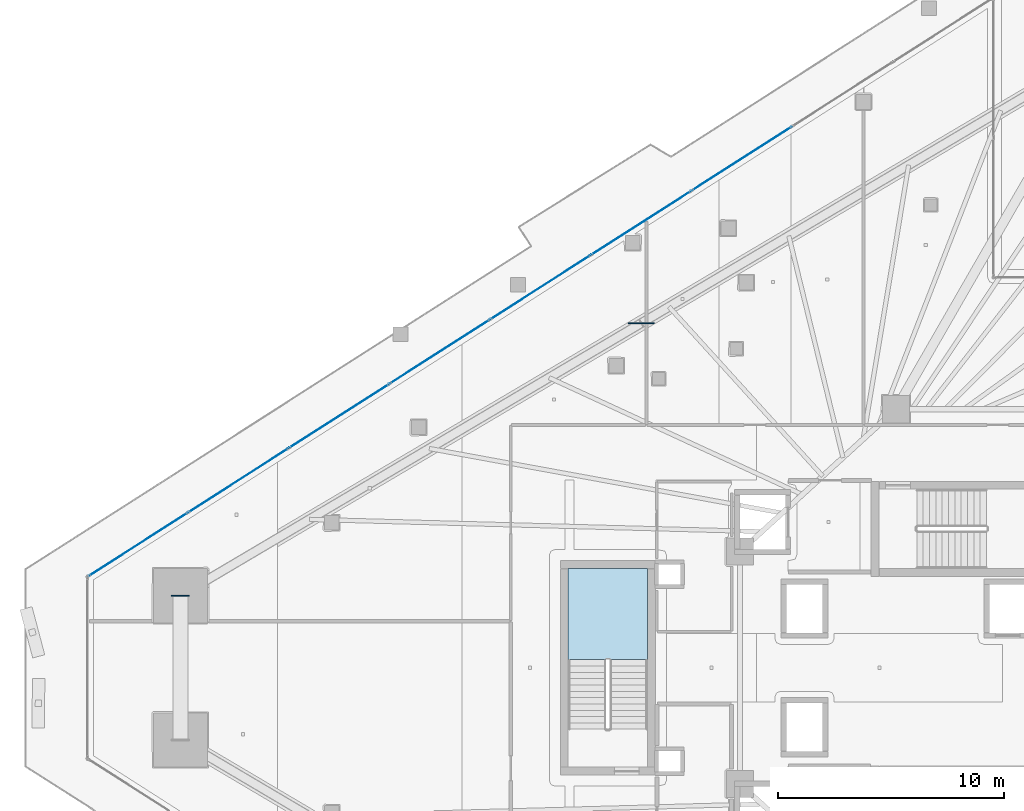
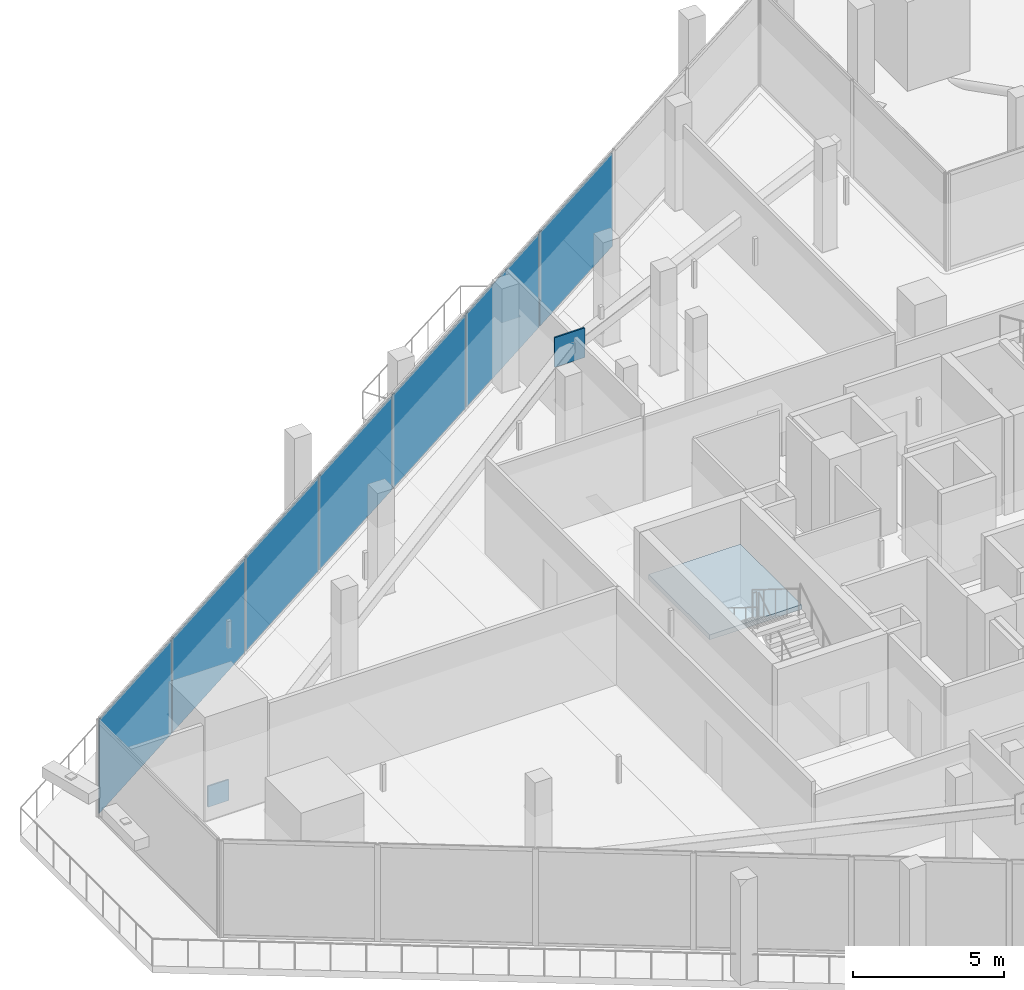
# One storey, part 29 of 47: 9 plates, 1 slab, 2 elements without a shape of their own.
"""IFC4 building model written with IfcOpenShell, lengths in metres."""

import ifcopenshell
import ifcopenshell.guid

model = None  # the IFC model being written
_history = None  # IfcOwnerHistory: only IFC2X3 demands one
_inside = {}  # id of a spatial element -> (the spatial element, [elements in it])
_under = {}  # id of a project, library or spatial element -> (it, [spatial elements below it])
_declared = {}  # id of a project -> (the project, [libraries it declares])
_typed = {}  # id of a type object -> (the type object, [elements of that type])
_made_of = {}  # id of a material, layer set ... -> (it, [elements and type objects made of it])


def new_model(schema):
    """Start an empty IFC model of exactly this schema.

    Asked for "IFC4X3", IfcOpenShell would pick the latest addendum, in which some entities
    have other attributes; the version numbers below select the first issue.
    IFC2X3 requires an IfcOwnerHistory on every rooted entity: one is made here for all.
    """
    global model, _history
    if schema == "IFC4X3":
        model = ifcopenshell.file(schema_version=(4, 3, 0, 0))
    else:
        model = ifcopenshell.file(schema=schema)
    _inside.clear()
    _under.clear()
    _declared.clear()
    _typed.clear()
    _made_of.clear()
    _history = None
    if model.schema == "IFC2X3":
        org = make("IfcOrganization", Name="unknown")
        user = make(
            "IfcPersonAndOrganization",
            ThePerson=make("IfcPerson", FamilyName="unknown"),
            TheOrganization=org,
        )
        app = make(
            "IfcApplication",
            ApplicationDeveloper=org,
            Version="unknown",
            ApplicationFullName="unknown",
            ApplicationIdentifier="unknown",
        )
        _history = make(
            "IfcOwnerHistory",
            OwningUser=user,
            OwningApplication=app,
            ChangeAction="ADDED",
            CreationDate=0,
        )
    return model


def make(cls, **values):
    """One entity of the class cls with the attributes given. An attribute that is None is left unset."""
    return model.create_entity(
        cls, **{name: value for name, value in values.items() if value is not None}
    )


def rooted(cls, **values):
    """An entity with a GlobalId (a new one), such as an element, a storey or a relation."""
    return make(cls, GlobalId=ifcopenshell.guid.new(), OwnerHistory=_history, **values)


def si_unit(unit_type, name, prefix=None):
    """IfcSIUnit, for example si_unit("LENGTHUNIT", "METRE", prefix="MILLI")."""
    return make("IfcSIUnit", UnitType=unit_type, Prefix=prefix, Name=name)


def assignment(units):
    """IfcUnitAssignment: the units of a project."""
    return None if units is None else make("IfcUnitAssignment", Units=units)


def point(xyz):
    """IfcCartesianPoint."""
    return None if xyz is None else make("IfcCartesianPoint", Coordinates=xyz)


def direction(xyz):
    """IfcDirection."""
    return None if xyz is None else make("IfcDirection", DirectionRatios=xyz)


def frame(location, z_axis=None, x_axis=None):
    """IfcAxis2Placement3D, a coordinate frame: its origin and axes. An axis left out is left unset."""
    return make(
        "IfcAxis2Placement3D",
        Location=point(location),
        Axis=direction(z_axis),
        RefDirection=direction(x_axis),
    )


def frame_2d(location, x_axis=None):
    """IfcAxis2Placement2D, a coordinate frame in the plane: its origin and x axis."""
    return make(
        "IfcAxis2Placement2D", Location=point(location), RefDirection=direction(x_axis)
    )


def origin():
    """The frame at (0, 0, 0) with its axes left unset."""
    return frame((0.0, 0.0, 0.0))


def origin_2d():
    """The frame at (0, 0) in the plane with its x axis left unset."""
    return frame_2d((0.0, 0.0))


def place(relative_to, where):
    """IfcLocalPlacement: puts the frame where relative to a parent placement (None: the world)."""
    return make(
        "IfcLocalPlacement", PlacementRelTo=relative_to, RelativePlacement=where
    )


def context(
    kind, dimensions, precision=None, world=None, true_north=None, identifier=None
):
    """IfcGeometricRepresentationContext, for example the 3D "Model" context."""
    return make(
        "IfcGeometricRepresentationContext",
        ContextIdentifier=identifier,
        ContextType=kind,
        CoordinateSpaceDimension=dimensions,
        Precision=precision,
        WorldCoordinateSystem=world,
        TrueNorth=true_north,
    )


def subcontext(parent, identifier, kind, view, scale=None):
    """IfcGeometricRepresentationSubContext, for example "Body" below "Model"."""
    return make(
        "IfcGeometricRepresentationSubContext",
        ContextIdentifier=identifier,
        ContextType=kind,
        ParentContext=parent,
        TargetScale=scale,
        TargetView=view,
    )


def project(units=None, contexts=None):
    """IfcProject with its units and contexts."""
    return rooted(
        "IfcProject",
        Name="project",
        RepresentationContexts=contexts,
        UnitsInContext=assignment(units),
    )


def spatial(cls, under=None, at=None, **own):
    """A site, building, storey or space (cls), placed at a placement, below another one or the project."""
    s = rooted(cls, ObjectPlacement=at, **own)
    if under is not None:
        _under.setdefault(under.id(), (under, []))[1].append(s)
    return s


def polyline(points):
    """IfcPolyline through the points."""
    return make("IfcPolyline", Points=[point(p) for p in points])


def profile(cls, at=None, kind="AREA", **sizes):
    """A parametric profile (cls). Its sizes go by their IFC names, for example OverallWidth=200.0."""
    return make(cls, ProfileType=kind, Position=at, **sizes)


def rectangle(**sizes):
    """IfcRectangleProfileDef."""
    return profile("IfcRectangleProfileDef", **sizes)


def outline(outer, holes=None, kind="AREA"):
    """IfcArbitraryClosedProfileDef: a profile drawn as a closed curve; with holes, ...WithVoids."""
    if holes is None:
        return make("IfcArbitraryClosedProfileDef", ProfileType=kind, OuterCurve=outer)
    return make(
        "IfcArbitraryProfileDefWithVoids",
        ProfileType=kind,
        OuterCurve=outer,
        InnerCurves=holes,
    )


def extrude(swept, where, along, depth):
    """IfcExtrudedAreaSolid: the profile swept, set in the frame where, extruded along a direction by depth."""
    return make(
        "IfcExtrudedAreaSolid",
        SweptArea=swept,
        Position=where,
        ExtrudedDirection=direction(along),
        Depth=depth,
    )


def shape(context_of_items, identifier, shape_type, items):
    """IfcShapeRepresentation: the items that make up one representation, for example the "Body"."""
    return make(
        "IfcShapeRepresentation",
        ContextOfItems=context_of_items,
        RepresentationIdentifier=identifier,
        RepresentationType=shape_type,
        Items=items,
    )


def material(Name=None, Category=None):
    """IfcMaterial."""
    return make("IfcMaterial", Name=Name, Category=Category)


def layer(
    of_material, thickness, ventilated=None, Name=None, Category=None, Priority=None
):
    """IfcMaterialLayer: one layer of a wall or slab, of a material (None: an air gap)."""
    return make(
        "IfcMaterialLayer",
        Material=of_material,
        LayerThickness=thickness,
        IsVentilated=ventilated,
        Name=Name,
        Category=Category,
        Priority=Priority,
    )


def layer_set(layers, Name=None):
    """IfcMaterialLayerSet."""
    return make("IfcMaterialLayerSet", MaterialLayers=layers, LayerSetName=Name)


def made_of(thing, what):
    """Note that an element or type object is made of a material, layer set ...; save() writes the relation."""
    if what is not None:
        _made_of.setdefault(what.id(), (what, []))[1].append(thing)
    return thing


def type_object(cls, material=None, **own):
    """A type object (cls), such as IfcWallType, which elements share."""
    return made_of(rooted(cls, **own), material)


def element(
    cls,
    number,
    at=None,
    inside=None,
    cuts=None,
    type_object=None,
    material=None,
    context=None,
    identifier="Body",
    shape_type=None,
    held_by="IfcProductDefinitionShape",
    body=None,
    shapes=None,
    **own,
):
    """One element of the class cls, such as IfcWall. Its Tag is "e" and its number.

    at: its placement. inside: the storey or other place that contains it. cuts: it is an
    opening in that element (IfcRelVoidsElement). A single representation is given by context,
    identifier, shape_type and body (its items); several are given by shapes. held_by: the class
    of the entity that holds the representations. save() writes the other relations.
    """
    e = rooted(cls, Tag="e%d" % number, ObjectPlacement=at, **own)
    if body is not None:
        shapes = [shape(context, identifier, shape_type, body)]
    if shapes is not None:
        e.Representation = make(held_by, Representations=shapes)
    if inside is not None:
        _inside.setdefault(inside.id(), (inside, []))[1].append(e)
    if cuts is not None:
        rooted(
            "IfcRelVoidsElement", RelatingBuildingElement=cuts, RelatedOpeningElement=e
        )
    if type_object is not None:
        _typed.setdefault(type_object.id(), (type_object, []))[1].append(e)
    return made_of(e, material)


def aggregate(whole, parts):
    """IfcRelAggregates: a whole, such as a stair, and the parts it consists of."""
    return rooted("IfcRelAggregates", RelatingObject=whole, RelatedObjects=parts)


def save(model, path):
    """Write the relations noted so far, then the file.

    IfcRelAggregates (storeys below a building ...), IfcRelContainedInSpatialStructure (elements
    in a storey), IfcRelDefinesByType, IfcRelAssociatesMaterial and IfcRelDeclares: one each for
    every whole, place, type object, material and project.
    """
    for whole, parts in _under.values():
        aggregate(whole, parts)
    for where, things in _inside.values():
        rooted(
            "IfcRelContainedInSpatialStructure",
            RelatedElements=things,
            RelatingStructure=where,
        )
    for kind, things in _typed.values():
        rooted("IfcRelDefinesByType", RelatedObjects=things, RelatingType=kind)
    for what, things in _made_of.values():
        rooted("IfcRelAssociatesMaterial", RelatedObjects=things, RelatingMaterial=what)
    for by, libraries in _declared.values():
        rooted("IfcRelDeclares", RelatingContext=by, RelatedDefinitions=libraries)
    model.write(path)


model = new_model("IFC4")

# Units and contexts
model_context = context("Model", 3, precision=1e-05, world=origin(), true_north=direction((0.0, 1.0)))
body_context = subcontext(model_context, "Body", "Model", "MODEL_VIEW")
ifc_project = project(units=[si_unit("LENGTHUNIT", "METRE"), si_unit("AREAUNIT", "SQUARE_METRE"), si_unit("VOLUMEUNIT", "CUBIC_METRE"), si_unit("PLANEANGLEUNIT", "RADIAN"), si_unit("MASSUNIT", "GRAM", prefix="KILO")], contexts=[model_context])

# Site, building, storey
site_placement = place(None, origin())
site = spatial("IfcSite", under=ifc_project, at=site_placement, CompositionType="ELEMENT")
building_placement = place(site_placement, origin())
building = spatial("IfcBuilding", under=site, at=building_placement, Name="Qorvath Tower", CompositionType="ELEMENT")
storey_placement = place(building_placement, frame((0.0, 0.0, 74.39990234375)))
storey = spatial("IfcBuildingStorey", under=building, at=storey_placement, Name="L16", CompositionType="ELEMENT", Elevation=74.39990234375)

# Curtain wall, plates
ifc_material_1 = material(Name="Anodised aluminium and triple low-E glass", Category="aluminium")
ifc_layer_1 = layer(ifc_material_1, 0.179931640625)
ifc_layer_set_1 = layer_set([ifc_layer_1], Name="CW-SYS-5")
curtain_wall_type = type_object("IfcCurtainWallType", Name="CW-SYS-5", PredefinedType="NOTDEFINED", material=ifc_layer_set_1)
curtain_wall_placement = place(storey_placement, origin())
curtain_wall = element("IfcCurtainWall", 1, at=curtain_wall_placement, inside=storey, type_object=curtain_wall_type, Name="Curtain Wall CW-5 CW-T-L16-4.1", PredefinedType="NOTDEFINED")
ifc_material_2 = material(Name="Low-E triple insulated glass", Category="glass")
ifc_layer_2 = layer(ifc_material_2, 0.031982421875)
ifc_layer_set_2 = layer_set([ifc_layer_2], Name="CWP-GLZ-32")
plate_type_1 = type_object("IfcPlateType", Name="CWP-GLZ-32", PredefinedType="CURTAIN_PANEL", material=ifc_layer_set_2)
plate_1_placement = place(storey_placement, frame((-30.42333984375, 22.547607421875, 0.06494140625), z_axis=(0.0, 0.0, 1.0), x_axis=(-0.842604180763, -0.538533373675, 0.0)))
plate_1 = element("IfcPlate", 2, at=plate_1_placement, type_object=plate_type_1, Name="CW-5 panel 3.1", PredefinedType="CURTAIN_PANEL", context=body_context, shape_type="SweptSolid", body=[
    extrude(rectangle(XDim=5.21484375, YDim=0.031982421875, at=origin_2d()), origin(), (0.0, 0.0, 1.0), 3.790283203125),
])
plate_2_placement = place(storey_placement, frame((-34.880615234375, 19.698974609375, 0.06494140625), z_axis=(0.0, 0.0, 1.0), x_axis=(-0.842604180763, -0.538533373675, 0.0)))
plate_2 = element("IfcPlate", 3, at=plate_2_placement, type_object=plate_type_1, Name="CW-5 panel 4.1", PredefinedType="CURTAIN_PANEL", context=body_context, shape_type="SweptSolid", body=[
    extrude(rectangle(XDim=5.21484375, YDim=0.031982421875, at=origin_2d()), origin(), (0.0, 0.0, 1.0), 3.790283203125),
])
plate_3_placement = place(storey_placement, frame((-39.337890625, 16.85009765625, 0.06494140625), z_axis=(0.0, 0.0, 1.0), x_axis=(-0.842604180763, -0.538533373675, 0.0)))
plate_3 = element("IfcPlate", 4, at=plate_3_placement, type_object=plate_type_1, Name="CW-5 panel 5.1", PredefinedType="CURTAIN_PANEL", context=body_context, shape_type="SweptSolid", body=[
    extrude(rectangle(XDim=5.21484375, YDim=0.031982421875, at=origin_2d()), origin(), (0.0, 0.0, 1.0), 3.790283203125),
])
plate_4_placement = place(storey_placement, frame((-43.795166015625, 14.001220703125, 0.06494140625), z_axis=(0.0, 0.0, 1.0), x_axis=(-0.842604180763, -0.538533373675, 0.0)))
plate_4 = element("IfcPlate", 5, at=plate_4_placement, type_object=plate_type_1, Name="CW-5 panel 6.1", PredefinedType="CURTAIN_PANEL", context=body_context, shape_type="SweptSolid", body=[
    extrude(rectangle(XDim=5.21484375, YDim=0.031982421875, at=origin_2d()), origin(), (0.0, 0.0, 1.0), 3.790283203125),
])
plate_5_placement = place(storey_placement, frame((-48.25244140625, 11.152587890625, 0.06494140625), z_axis=(0.0, 0.0, 1.0), x_axis=(-0.842604180763, -0.538533373675, 0.0)))
plate_5 = element("IfcPlate", 6, at=plate_5_placement, type_object=plate_type_1, Name="CW-5 panel 7.1", PredefinedType="CURTAIN_PANEL", context=body_context, shape_type="SweptSolid", body=[
    extrude(rectangle(XDim=5.21484375, YDim=0.031982421875, at=origin_2d()), origin(), (0.0, 0.0, 1.0), 3.790283203125),
])
plate_6_placement = place(storey_placement, frame((-52.709716796875, 8.3037109375, 0.06494140625), z_axis=(0.0, 0.0, 1.0), x_axis=(-0.842604180763, -0.538533373675, 0.0)))
plate_6 = element("IfcPlate", 7, at=plate_6_placement, type_object=plate_type_1, Name="CW-5 panel 8.1", PredefinedType="CURTAIN_PANEL", context=body_context, shape_type="SweptSolid", body=[
    extrude(rectangle(XDim=5.21484375, YDim=0.031982421875, at=origin_2d()), origin(), (0.0, 0.0, 1.0), 3.790283203125),
])
plate_7_placement = place(storey_placement, frame((-57.1513671875, 5.465087890625, 0.06494140625), z_axis=(0.0, 0.0, 1.0), x_axis=(-0.842604180763, -0.538533373675, 0.0)))
plate_7 = element("IfcPlate", 8, at=plate_7_placement, type_object=plate_type_1, Name="CW-5 panel 9.1", PredefinedType="CURTAIN_PANEL", context=body_context, shape_type="SweptSolid", body=[
    extrude(rectangle(XDim=5.177490234375, YDim=0.031982421875, at=origin_2d()), origin(), (0.0, 0.0, 1.0), 3.790283203125),
])
aggregate(curtain_wall, [plate_1, plate_2, plate_3, plate_4, plate_5, plate_6, plate_7])

# Plates
ifc_material_3 = material(Name="Steel ASTM A572 Grade 50", Category="steel")
ifc_layer_3 = layer(ifc_material_3, 0.054931640625)
ifc_layer_set_3 = layer_set([ifc_layer_3], Name="PL-MBN1")
plate_type_2 = type_object("IfcPlateType", Name="PL-MBN1", PredefinedType="USERDEFINED", material=ifc_layer_set_3)
plate_8_placement = place(storey_placement, frame((-34.873779296875, 15.2626953125, 2.97021484375), z_axis=(0.0, 0.0, 1.0), x_axis=(1.0, 0.0, 0.0)))
element("IfcPlate", 9, at=plate_8_placement, inside=storey, type_object=plate_type_2, Name="Mega-Brace Chevron Apex Gusset L16-1", ObjectType="GUSSET", PredefinedType="USERDEFINED", context=body_context, shape_type="SweptSolid", body=[
    extrude(rectangle(XDim=1.14990234375, YDim=0.054931640625, at=origin_2d()), origin(), (0.0, 0.0, 1.0), 1.199951171875),
])
plate_9_placement = place(storey_placement, frame((-55.282958984375, 3.194580078125, -0.425048828125), z_axis=(0.0, 0.0, 1.0), x_axis=(1.0, 0.0, 0.0)))
element("IfcPlate", 10, at=plate_9_placement, inside=storey, type_object=plate_type_2, Name="Brace Strut End Gusset Plate NDBG-086", ObjectType="GUSSET", PredefinedType="USERDEFINED", context=body_context, shape_type="SweptSolid", body=[
    extrude(rectangle(XDim=0.800048828125, YDim=0.054931640625, at=origin_2d()), origin(), (0.0, 0.0, 1.0), 0.85009765625),
])

# Stair, slab
ifc_material_4 = material(Name="Concrete C50/60", Category="concrete")
stair_type = type_object("IfcStairType", Name="ST-H420", PredefinedType="HALF_TURN_STAIR", material=ifc_material_4)
stair_placement = place(storey_placement, origin())
stair = element("IfcStair", 11, at=stair_placement, inside=storey, type_object=stair_type, Name="L16 Tower Exit Stair 3", PredefinedType="HALF_TURN_STAIR")
ifc_material_5 = material(Name="Concrete C50/60", Category="concrete")
ifc_layer_4 = layer(ifc_material_5, 0.199951171875)
ifc_layer_set_4 = layer_set([ifc_layer_4], Name="SL-LND-200")
slab_type = type_object("IfcSlabType", Name="SL-LND-200", PredefinedType="LANDING", material=ifc_layer_set_4)
slab_placement = place(storey_placement, frame((0.0, 0.0, 1.900146484375)))
slab = element("IfcSlab", 12, at=slab_placement, type_object=slab_type, Name="TS3 landing 1", PredefinedType="LANDING", context=body_context, shape_type="SweptSolid", body=[
    extrude(outline(polyline([(-34.60009765625, 0.360107421875), (-34.60009765625, 4.39990234375), (-38.110107421875, 4.39990234375), (-38.110107421875, 0.360107421875), (-34.60009765625, 0.360107421875)])), origin(), (0.0, 0.0, 1.0), 0.199951171875),
])
aggregate(stair, [slab])

save(model, "model.ifc")
